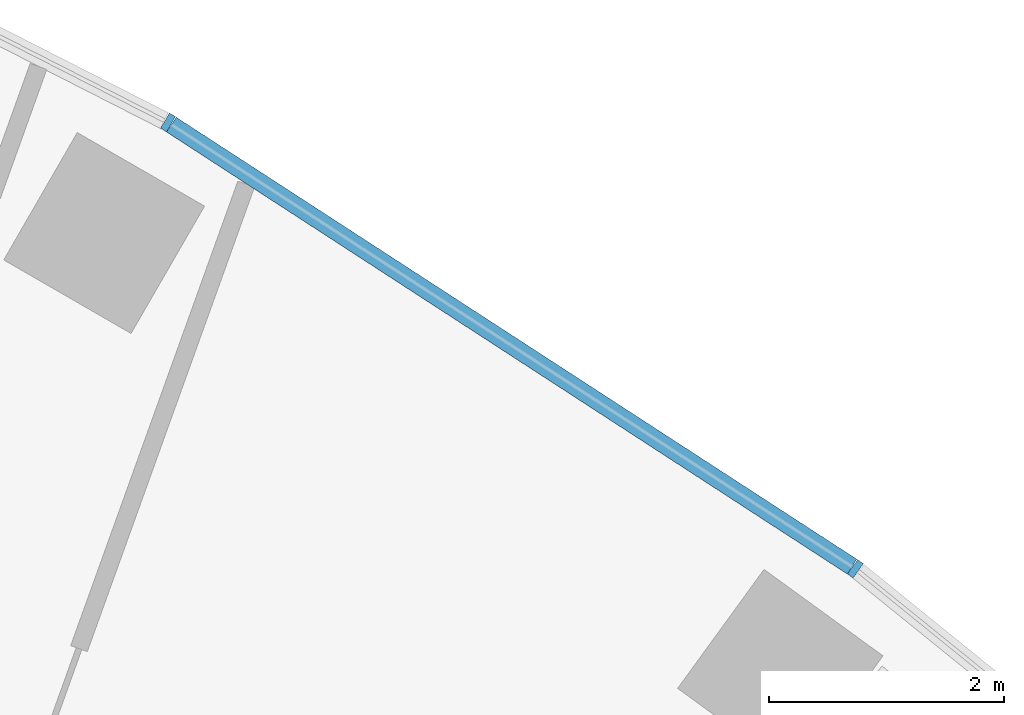
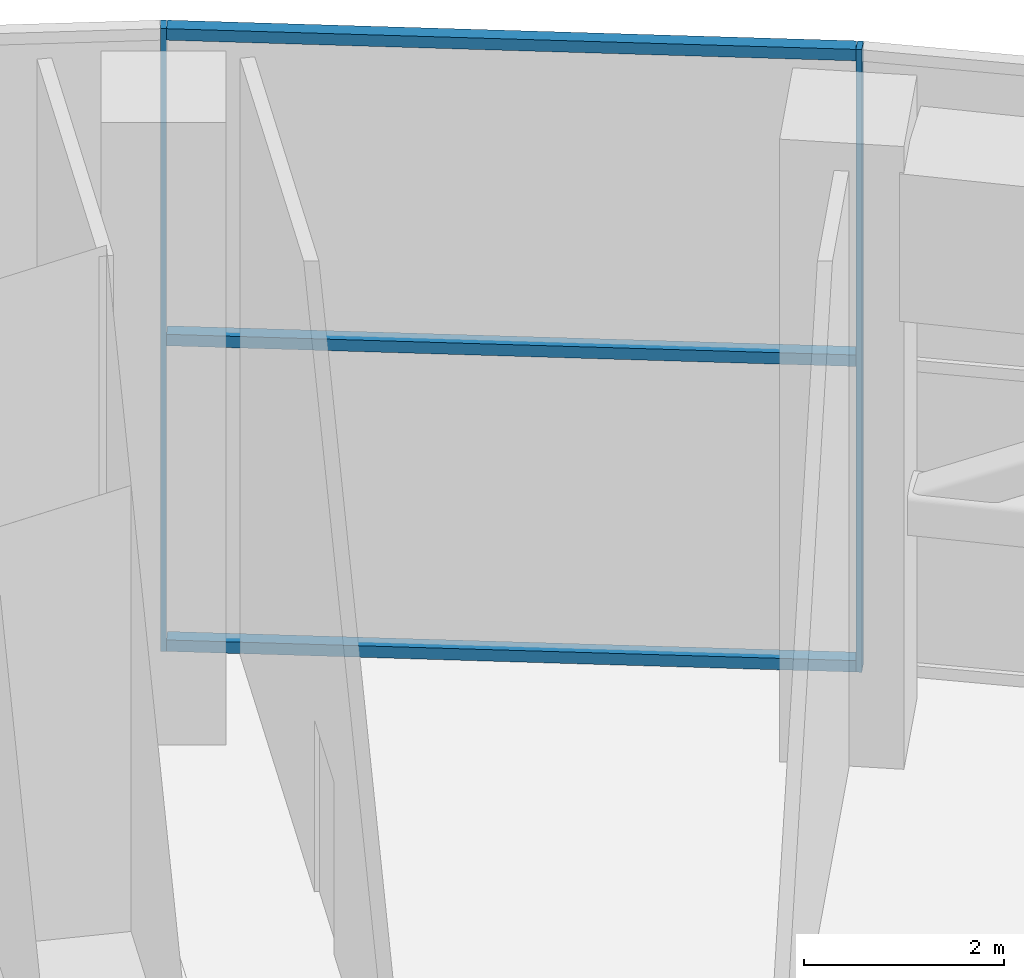
# One storey, part 14 of 33: 5 members, 1 element without a shape of its own.
"""IFC4 building model written with IfcOpenShell, lengths in metres."""

from ifc_helpers import new_model, si_unit, direction, frame, origin, origin_2d, place, context, subcontext, project, spatial, rectangle, extrude, material, layer, layer_set, material_profile, profile_set, type_object, element, aggregate, save


model = new_model("IFC4")

# Units and contexts
model_context = context("Model", 3, precision=1e-05, world=origin(), true_north=direction((0.0, 1.0)))
body_context = subcontext(model_context, "Body", "Model", "MODEL_VIEW")
ifc_project = project(units=[si_unit("LENGTHUNIT", "METRE"), si_unit("AREAUNIT", "SQUARE_METRE"), si_unit("VOLUMEUNIT", "CUBIC_METRE"), si_unit("PLANEANGLEUNIT", "RADIAN"), si_unit("MASSUNIT", "GRAM", prefix="KILO")], contexts=[model_context])

# Site, building, storey
site_placement = place(None, origin())
site = spatial("IfcSite", under=ifc_project, at=site_placement, CompositionType="ELEMENT")
building_placement = place(site_placement, origin())
building = spatial("IfcBuilding", under=site, at=building_placement, Name="Stone Belt Terrace Tower", CompositionType="ELEMENT")
storey_placement = place(building_placement, frame((0.0, 0.0, 79.39990234375)))
storey = spatial("IfcBuildingStorey", under=building, at=storey_placement, Name="L19", CompositionType="ELEMENT", Elevation=79.39990234375)

# Curtain wall, members
ifc_material = material(Name="Aluminium 6063-T6 anodised frame", Category="aluminium")
ifc_layer = layer(ifc_material, 0.14990234375)
ifc_layer_set = layer_set([ifc_layer], Name="CW-A unitised convex-face curtain wall")
curtain_wall_type = type_object("IfcCurtainWallType", Name="CW-A unitised convex-face curtain wall", PredefinedType="NOTDEFINED", material=ifc_layer_set)
curtain_wall_placement = place(storey_placement, origin())
curtain_wall = element("IfcCurtainWall", 1, at=curtain_wall_placement, inside=storey, type_object=curtain_wall_type, Name="CW-A convex face L19", PredefinedType="NOTDEFINED")
ifc_material_profile_1 = material_profile(ifc_material, rectangle(XDim=0.14990234375, YDim=0.06005859375, at=origin_2d()), Name="Aluminium 6063-T6 60x150")
ifc_profile_set_1 = profile_set([ifc_material_profile_1], Name="Aluminium 6063-T6 anodised frame")
member_type_1 = type_object("IfcMemberType", Name="CW-A mullion 60 x 150", PredefinedType="MULLION", material=ifc_profile_set_1)
member_1_placement = place(storey_placement, frame((39.1318359375, 53.8603515625, 0.0), z_axis=(0.0, 0.0, 1.0), x_axis=(-0.587785252292, -0.809016994375, 0.0)))
member_1 = element("IfcMember", 2, at=member_1_placement, type_object=member_type_1, Name="CW-A mullion 4", PredefinedType="MULLION", context=body_context, shape_type="SweptSolid", body=[
    extrude(rectangle(XDim=0.14990234375, YDim=0.06005859375, at=origin_2d()), origin(), (0.0, 0.0, 1.0), 7.60009765625),
])
member_2_placement = place(storey_placement, frame((33.28759765625, 57.65576171875, 0.0), z_axis=(0.0, 0.0, 1.0), x_axis=(-0.5, -0.866025403784, 0.0)))
member_2 = element("IfcMember", 3, at=member_2_placement, type_object=member_type_1, Name="CW-A mullion 5", PredefinedType="MULLION", context=body_context, shape_type="SweptSolid", body=[
    extrude(rectangle(XDim=0.14990234375, YDim=0.06005859375, at=origin_2d()), origin(), (0.0, 0.0, 1.0), 7.60009765625),
])
ifc_material_profile_2 = material_profile(ifc_material, rectangle(XDim=0.14990234375, YDim=0.139892578125, at=origin_2d()), Name="Aluminium 6063-T6 150x140")
ifc_profile_set_2 = profile_set([ifc_material_profile_2], Name="Aluminium 6063-T6 anodised frame")
member_type_2 = type_object("IfcMemberType", Name="CW-A transom 140 x 150", PredefinedType="USERDEFINED", material=ifc_profile_set_2)
member_3_placement = place(storey_placement, frame((39.103515625, 53.87890625, 0.070068359375), z_axis=(-0.83868440714, 0.544617723931, 0.0), x_axis=(-0.544617723931, -0.83868440714, 0.0)))
member_3 = element("IfcMember", 4, at=member_3_placement, type_object=member_type_2, Name="CW-A transom 4.1", ObjectType="TRANSOM", PredefinedType="USERDEFINED", context=body_context, shape_type="SweptSolid", body=[
    extrude(rectangle(XDim=0.14990234375, YDim=0.139892578125, at=origin_2d()), origin(), (0.0, 0.0, 1.0), 6.90087890625),
])
member_4_placement = place(storey_placement, frame((39.103515625, 53.87890625, 3.800048828125), z_axis=(-0.83868440714, 0.544617723931, 0.0), x_axis=(-0.544617723931, -0.83868440714, 0.0)))
member_4 = element("IfcMember", 5, at=member_4_placement, type_object=member_type_2, Name="CW-A transom 4.2", ObjectType="TRANSOM", PredefinedType="USERDEFINED", context=body_context, shape_type="SweptSolid", body=[
    extrude(rectangle(XDim=0.14990234375, YDim=0.139892578125, at=origin_2d()), origin(), (0.0, 0.0, 1.0), 6.90087890625),
])
member_5_placement = place(storey_placement, frame((39.103515625, 53.87890625, 7.530029296875), z_axis=(-0.83868440714, 0.544617723931, 0.0), x_axis=(-0.544617723931, -0.83868440714, 0.0)))
member_5 = element("IfcMember", 6, at=member_5_placement, type_object=member_type_2, Name="CW-A transom 4.3", ObjectType="TRANSOM", PredefinedType="USERDEFINED", context=body_context, shape_type="SweptSolid", body=[
    extrude(rectangle(XDim=0.14990234375, YDim=0.139892578125, at=origin_2d()), origin(), (0.0, 0.0, 1.0), 6.90087890625),
])
aggregate(curtain_wall, [member_1, member_2, member_3, member_4, member_5])

save(model, "model.ifc")
